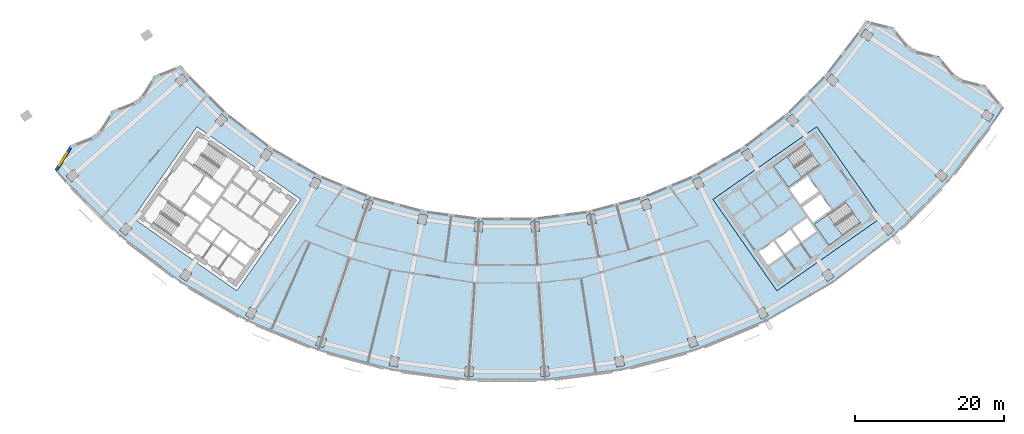
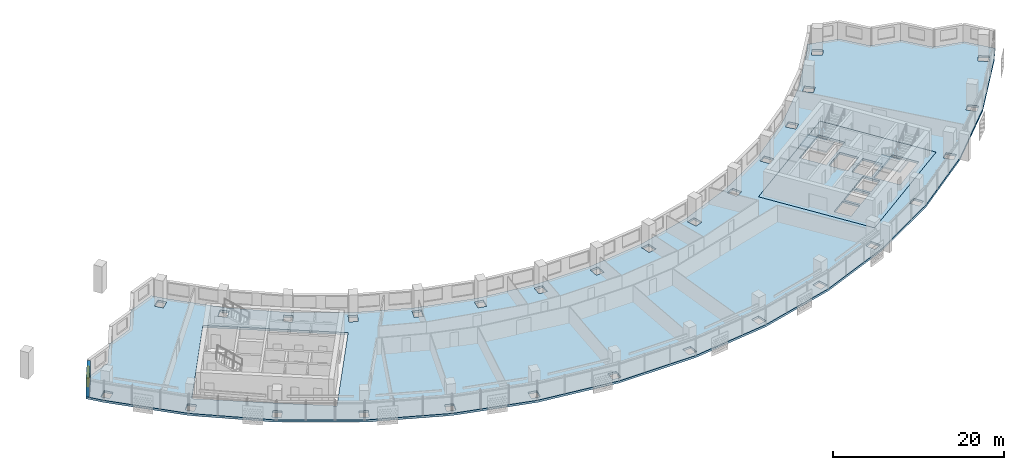
# One storey, part 2 of 26: 4 slabs, 1 wall, 1 window, 1 opening, 2 elements without a shape of their own.
"""IFC4 building model written with IfcOpenShell, lengths in metres."""

from ifc_helpers import new_model, si_unit, direction, frame, frame_2d, origin, place, context, subcontext, project, spatial, polyline, rectangle, outline, extrude, material, layer, layer_set, type_object, element, fill, aggregate, save


model = new_model("IFC4")

# Units and contexts
model_context = context("Model", 3, precision=1e-05, world=origin(), true_north=direction((0.0, 1.0)))
body_context = subcontext(model_context, "Body", "Model", "MODEL_VIEW")
ifc_project = project(units=[si_unit("LENGTHUNIT", "METRE"), si_unit("AREAUNIT", "SQUARE_METRE"), si_unit("VOLUMEUNIT", "CUBIC_METRE"), si_unit("PLANEANGLEUNIT", "RADIAN"), si_unit("MASSUNIT", "GRAM", prefix="KILO")], contexts=[model_context])

# Site, building, storey
site_placement = place(None, origin())
site = spatial("IfcSite", under=ifc_project, at=site_placement, CompositionType="ELEMENT")
building_placement = place(site_placement, origin())
building = spatial("IfcBuilding", under=site, at=building_placement, Name="Qamariyya Broadcast Tower", CompositionType="ELEMENT")
storey_placement = place(building_placement, frame((0.0, 0.0, 160.699951171875)))
storey = spatial("IfcBuildingStorey", under=building, at=storey_placement, Name="L37", CompositionType="ELEMENT", Elevation=160.699951171875)

# Slabs
ifc_material_1 = material(Name="Concrete C40/50", Category="concrete")
ifc_layer_1 = layer(ifc_material_1, 0.300048828125)
ifc_layer_set_1 = layer_set([ifc_layer_1], Name="Core floor slab 300 mm Concrete C40/50")
slab_type_1 = type_object("IfcSlabType", Name="Core floor slab 300 mm Concrete C40/50", PredefinedType="FLOOR", material=ifc_layer_set_1)
slab_1_placement = place(storey_placement, frame((0.0, 0.0, -0.300048828125)))
element("IfcSlab", 1, at=slab_1_placement, inside=storey, type_object=slab_type_1, Name="k-E-L37-slab", PredefinedType="FLOOR", context=body_context, shape_type="SweptSolid", body=[
    extrude(outline(polyline([(36.32373046875, -66.734375), (50.286376953125, -56.95751953125), (41.6826171875, -44.67041015625), (27.719970703125, -54.447021484375), (36.32373046875, -66.734375)]), holes=[polyline([(33.87353515625, -61.49169921875), (35.88037109375, -60.08642578125), (37.142333984375, -61.888427734375), (35.13525390625, -63.293701171875), (33.87353515625, -61.49169921875)]), polyline([(36.126220703125, -59.914306640625), (38.133056640625, -58.509033203125), (39.394775390625, -60.311279296875), (37.387939453125, -61.716552734375), (36.126220703125, -59.914306640625)]), polyline([(38.378662109375, -58.3369140625), (40.3857421875, -56.931640625), (41.6474609375, -58.73388671875), (39.640625, -60.13916015625), (38.378662109375, -58.3369140625)]), polyline([(39.742431640625, -55.489990234375), (42.199951171875, -53.769287109375), (43.6337890625, -55.817138671875), (41.17626953125, -57.537841796875), (39.742431640625, -55.489990234375)]), polyline([(39.45556640625, -55.080322265625), (41.9130859375, -53.359619140625), (40.47900390625, -51.311767578125), (38.021728515625, -53.032470703125), (39.45556640625, -55.080322265625)]), polyline([(40.082275390625, -47.01171875), (35.870849609375, -49.960693359375), (37.849609375, -52.78662109375), (42.06103515625, -49.837890625), (40.082275390625, -47.01171875)]), polyline([(45.559814453125, -54.834716796875), (41.348388671875, -57.783447265625), (43.3271484375, -60.609619140625), (47.538818359375, -57.66064453125), (45.559814453125, -54.834716796875)])]), origin(), (0.0, 0.0, 1.0), 0.300048828125),
])
ifc_layer_2 = layer(ifc_material_1, 0.300048828125)
ifc_layer_set_2 = layer_set([ifc_layer_2], Name="Post-tensioned floor slab 300 C40/50")
slab_type_2 = type_object("IfcSlabType", Name="Post-tensioned floor slab 300 C40/50", PredefinedType="FLOOR", material=ifc_layer_set_2)
slab_2_placement = place(storey_placement, frame((0.0, 0.0, -0.300048828125)))
element("IfcSlab", 2, at=slab_2_placement, inside=storey, type_object=slab_type_2, Name="Floor slab S4 L37", PredefinedType="FLOOR", context=body_context, shape_type="SweptSolid", body=[
    extrude(outline(polyline([(-58.74462890625, -47.161376953125), (-60.808349609375, -50.431640625), (-59.395263671875, -52.08837890625), (-52.08837890625, -59.395263671875), (-43.89013671875, -65.68603515625), (-34.94091796875, -70.85302734375), (-25.393798828125, -74.807373046875), (-15.412109375, -77.48193359375), (-5.166748046875, -78.830810546875), (5.166748046875, -78.830810546875), (15.412109375, -77.48193359375), (25.393798828125, -74.807373046875), (34.94091796875, -70.85302734375), (43.89013671875, -65.68603515625), (52.08837890625, -59.395263671875), (59.395263671875, -52.08837890625), (65.68603515625, -43.89013671875), (66.87060546875, -42.063232421875), (64.397705078125, -39.090087890625), (60.663330078125, -38.15869140625), (58.189453125, -35.18505859375), (54.455810546875, -34.25390625), (51.98095703125, -31.27978515625), (48.24853515625, -30.349365234375), (47.393798828125, -31.66748046875), (42.85498046875, -37.582763671875), (37.582763671875, -42.85498046875), (31.66748046875, -47.393798828125), (25.21044921875, -51.121826171875), (18.322021484375, -53.97509765625), (11.1201171875, -55.90478515625), (3.72802734375, -56.8779296875), (-3.72802734375, -56.8779296875), (-11.1201171875, -55.90478515625), (-18.322021484375, -53.97509765625), (-25.21044921875, -51.121826171875), (-31.66748046875, -47.393798828125), (-37.582763671875, -42.85498046875), (-42.85498046875, -37.582763671875), (-43.874267578125, -36.387451171875), (-47.453369140625, -37.796875), (-49.51904296875, -41.06884765625), (-53.09912109375, -42.479248046875), (-55.16357421875, -45.750244140625), (-58.74462890625, -47.161376953125)]), holes=[polyline([(-5.676513671875, -78.1962890625), (-5.59130859375, -76.89892578125), (-4.49365234375, -76.970947265625), (-4.578857421875, -78.26806640625), (-5.676513671875, -78.1962890625)]), polyline([(-15.83447265625, -76.786376953125), (-15.580810546875, -75.51123046875), (-14.501953125, -75.725830078125), (-14.755615234375, -77.0009765625), (-15.83447265625, -76.786376953125)]), polyline([(-25.7216796875, -74.0625), (-25.3037109375, -72.83154296875), (-24.26220703125, -73.18505859375), (-24.679931640625, -74.416015625), (-25.7216796875, -74.0625)]), polyline([(-35.168701171875, -70.071533203125), (-34.59375, -68.905517578125), (-33.607177734375, -69.39208984375), (-34.18212890625, -70.55810546875), (-35.168701171875, -70.071533203125)]), polyline([(-44.013916015625, -64.881591796875), (-43.291748046875, -63.80078125), (-42.377197265625, -64.411865234375), (-43.099365234375, -65.49267578125), (-44.013916015625, -64.881591796875)]), polyline([(-52.106201171875, -58.58154296875), (-51.2490234375, -57.604248046875), (-50.422119140625, -58.32958984375), (-51.279296875, -59.306884765625), (-52.106201171875, -58.58154296875)]), polyline([(-4.401123046875, -58.738037109375), (-4.316162109375, -57.440673828125), (-3.218505859375, -57.5126953125), (-3.303466796875, -58.809814453125), (-4.401123046875, -58.738037109375)]), polyline([(-12.0302734375, -57.660888671875), (-11.776611328125, -56.385986328125), (-10.69775390625, -56.6005859375), (-10.951416015625, -57.87548828125), (-12.0302734375, -57.660888671875)]), polyline([(-50.286376953125, -56.95751953125), (-41.6826171875, -44.67041015625), (-27.719970703125, -54.447021484375), (-36.32373046875, -66.734375), (-50.286376953125, -56.95751953125)]), polyline([(-19.45361328125, -55.597412109375), (-19.03564453125, -54.366455078125), (-17.994140625, -54.719970703125), (-18.411865234375, -55.950927734375), (-19.45361328125, -55.597412109375)]), polyline([(-26.544189453125, -52.58251953125), (-25.968994140625, -51.41650390625), (-24.982666015625, -51.903076171875), (-25.5576171875, -53.069091796875), (-26.544189453125, -52.58251953125)]), polyline([(-59.306884765625, -51.279296875), (-58.32958984375, -50.422119140625), (-57.604248046875, -51.2490234375), (-58.58154296875, -52.106201171875), (-59.306884765625, -51.279296875)]), polyline([(-33.180419921875, -48.66796875), (-32.458251953125, -47.587158203125), (-31.54345703125, -48.1982421875), (-32.265869140625, -49.279052734375), (-33.180419921875, -48.66796875)]), polyline([(-39.2490234375, -43.920654296875), (-38.391845703125, -42.943359375), (-37.564697265625, -43.668701171875), (-38.421875, -44.64599609375), (-39.2490234375, -43.920654296875)]), polyline([(-43.668701171875, -37.564697265625), (-42.943359375, -38.391845703125), (-43.920654296875, -39.2490234375), (-44.64599609375, -38.421875), (-43.668701171875, -37.564697265625)]), polyline([(4.578857421875, -78.26806640625), (4.49365234375, -76.970947265625), (5.59130859375, -76.89892578125), (5.676513671875, -78.1962890625), (4.578857421875, -78.26806640625)]), polyline([(14.755615234375, -77.0009765625), (14.501953125, -75.725830078125), (15.580810546875, -75.51123046875), (15.83447265625, -76.786376953125), (14.755615234375, -77.0009765625)]), polyline([(24.679931640625, -74.416015625), (24.26220703125, -73.18505859375), (25.3037109375, -72.83154296875), (25.7216796875, -74.0625), (24.679931640625, -74.416015625)]), polyline([(34.18212890625, -70.55810546875), (33.607177734375, -69.39208984375), (34.59375, -68.905517578125), (35.168701171875, -70.071533203125), (34.18212890625, -70.55810546875)]), polyline([(43.099365234375, -65.49267578125), (42.377197265625, -64.411865234375), (43.291748046875, -63.80078125), (44.013916015625, -64.881591796875), (43.099365234375, -65.49267578125)]), polyline([(51.279296875, -59.306884765625), (50.422119140625, -58.32958984375), (51.2490234375, -57.604248046875), (52.106201171875, -58.58154296875), (51.279296875, -59.306884765625)]), polyline([(3.303466796875, -58.809814453125), (3.218505859375, -57.5126953125), (4.316162109375, -57.440673828125), (4.401123046875, -58.738037109375), (3.303466796875, -58.809814453125)]), polyline([(10.951416015625, -57.87548828125), (10.69775390625, -56.6005859375), (11.776611328125, -56.385986328125), (12.0302734375, -57.660888671875), (10.951416015625, -57.87548828125)]), polyline([(36.32373046875, -66.734375), (27.719970703125, -54.447021484375), (41.6826171875, -44.67041015625), (50.286376953125, -56.95751953125), (36.32373046875, -66.734375)]), polyline([(18.411865234375, -55.950927734375), (17.994140625, -54.719970703125), (19.03564453125, -54.366455078125), (19.45361328125, -55.597412109375), (18.411865234375, -55.950927734375)]), polyline([(25.5576171875, -53.069091796875), (24.982666015625, -51.903076171875), (25.968994140625, -51.41650390625), (26.544189453125, -52.58251953125), (25.5576171875, -53.069091796875)]), polyline([(58.58154296875, -52.106201171875), (57.604248046875, -51.2490234375), (58.32958984375, -50.422119140625), (59.306884765625, -51.279296875), (58.58154296875, -52.106201171875)]), polyline([(32.265869140625, -49.279052734375), (31.54345703125, -48.1982421875), (32.458251953125, -47.587158203125), (33.180419921875, -48.66796875), (32.265869140625, -49.279052734375)]), polyline([(38.421875, -44.64599609375), (37.564697265625, -43.668701171875), (38.391845703125, -42.943359375), (39.2490234375, -43.920654296875), (38.421875, -44.64599609375)]), polyline([(64.881591796875, -44.013916015625), (63.80078125, -43.291748046875), (64.411865234375, -42.377197265625), (65.49267578125, -43.099365234375), (64.881591796875, -44.013916015625)]), polyline([(42.943359375, -38.391845703125), (43.668701171875, -37.564697265625), (44.64599609375, -38.421875), (43.920654296875, -39.2490234375), (42.943359375, -38.391845703125)]), polyline([(47.587158203125, -32.458251953125), (48.1982421875, -31.54345703125), (49.279052734375, -32.265869140625), (48.66796875, -33.180419921875), (47.587158203125, -32.458251953125)])]), origin(), (0.0, 0.0, 1.0), 0.300048828125),
])

# Stair, slab
ifc_material_2 = material(Name="Concrete C50/60", Category="concrete")
stair_type = type_object("IfcStairType", Name="Exit stair 22 risers of 173 mm", PredefinedType="HALF_TURN_STAIR", material=ifc_material_2)
stair_1_placement = place(storey_placement, origin())
stair_1 = element("IfcStair", 3, at=stair_1_placement, inside=storey, type_object=stair_type, Name="L37 Stair E2", PredefinedType="HALF_TURN_STAIR")
ifc_layer_3 = layer(ifc_material_2, 0.199951171875)
ifc_layer_set_3 = layer_set([ifc_layer_3], Name="Stair landing")
slab_type_3 = type_object("IfcSlabType", Name="Stair landing", PredefinedType="LANDING", material=ifc_layer_set_3)
slab_3_placement = place(storey_placement, frame((0.0, 0.0, 1.699951171875)))
slab_3 = element("IfcSlab", 4, at=slab_3_placement, type_object=slab_type_3, Name="ST-E2 landing 1", PredefinedType="LANDING", context=body_context, shape_type="SweptSolid", body=[
    extrude(outline(polyline([(37.71337890625, -48.67041015625), (35.870849609375, -49.960693359375), (37.849609375, -52.78662109375), (39.692138671875, -51.49658203125), (37.71337890625, -48.67041015625)])), origin(), (0.0, 0.0, 1.0), 0.2001953125),
])
aggregate(stair_1, [slab_3])

stair_2_placement = place(storey_placement, origin())
stair_2 = element("IfcStair", 5, at=stair_2_placement, inside=storey, type_object=stair_type, Name="L37 Stair E1", PredefinedType="HALF_TURN_STAIR")
slab_4_placement = place(storey_placement, frame((0.0, 0.0, 1.699951171875)))
slab_4 = element("IfcSlab", 6, at=slab_4_placement, type_object=slab_type_3, Name="ST-E1 landing 1", PredefinedType="LANDING", context=body_context, shape_type="SweptSolid", body=[
    extrude(outline(polyline([(43.19091796875, -56.493408203125), (41.348388671875, -57.783447265625), (43.3271484375, -60.609619140625), (45.169677734375, -59.319580078125), (43.19091796875, -56.493408203125)])), origin(), (0.0, 0.0, 1.0), 0.2001953125),
])
aggregate(stair_2, [slab_4])

# Wall, opening, window
ifc_material_3 = material(Name="Terracotta", Category="masonry")
ifc_layer_4 = layer(ifc_material_3, 0.39990234375)
ifc_layer_set_4 = layer_set([ifc_layer_4], Name="Terracotta clad wall 400")
wall_type = type_object("IfcWallType", Name="Terracotta clad wall 400", PredefinedType="SOLIDWALL", material=ifc_layer_set_4)
wall_placement = place(storey_placement, frame((-58.724853515625, -47.5048828125, 0.0), z_axis=(0.0, 0.0, 1.0), x_axis=(-0.533683099757, -0.845684544635, 0.0)))
wall = element("IfcWall", 7, at=wall_placement, inside=storey, type_object=wall_type, Name="e-wl-L37-capW5", PredefinedType="SOLIDWALL", context=body_context, shape_type="SweptSolid", body=[
    extrude(rectangle(XDim=3.5869140625, YDim=0.39990234375, at=frame_2d((1.79345703125, 0.0))), origin(), (0.0, 0.0, 1.0), 2.699951171875),
])
opening_placement = place(wall_placement, frame((0.79345703125, 0.0, 0.89990234375)))
opening = element("IfcOpeningElement", 8, at=opening_placement, cuts=wall, Name="Opening W4", PredefinedType="OPENING", context=body_context, shape_type="SweptSolid", body=[
    extrude(rectangle(XDim=2.0, YDim=1.5, at=frame_2d((1.0, 0.75))), frame((0.0, 0.2099609375, 0.0), z_axis=(0.0, -1.0, 0.0), x_axis=(1.0, 0.0, 0.0)), (0.0, 0.0, 1.0), 0.419921875),
])
ifc_material_4 = material(Name="Clear low-e double glazed unit in aluminium frame", Category="aluminium")
window_type = type_object("IfcWindowType", Name="Horn bay window 2000 x 1500", PartitioningType="SINGLE_PANEL", PredefinedType="WINDOW", material=ifc_material_4)
window_placement = place(opening_placement, origin())
window = element("IfcWindow", 9, at=window_placement, inside=storey, type_object=window_type, Name="e-w-L37-capW5", OverallHeight=1.5, OverallWidth=2.0, PartitioningType="SINGLE_PANEL", PredefinedType="WINDOW", context=body_context, shape_type="SweptSolid", body=[
    extrude(rectangle(XDim=2.0, YDim=1.5, at=frame_2d((1.0, 0.75))), frame((0.0, 0.030029296875, 0.0), z_axis=(0.0, -1.0, 0.0), x_axis=(1.0, 0.0, 0.0)), (0.0, 0.0, 1.0), 0.06005859375),
])
fill(opening, window)

save(model, "model.ifc")
